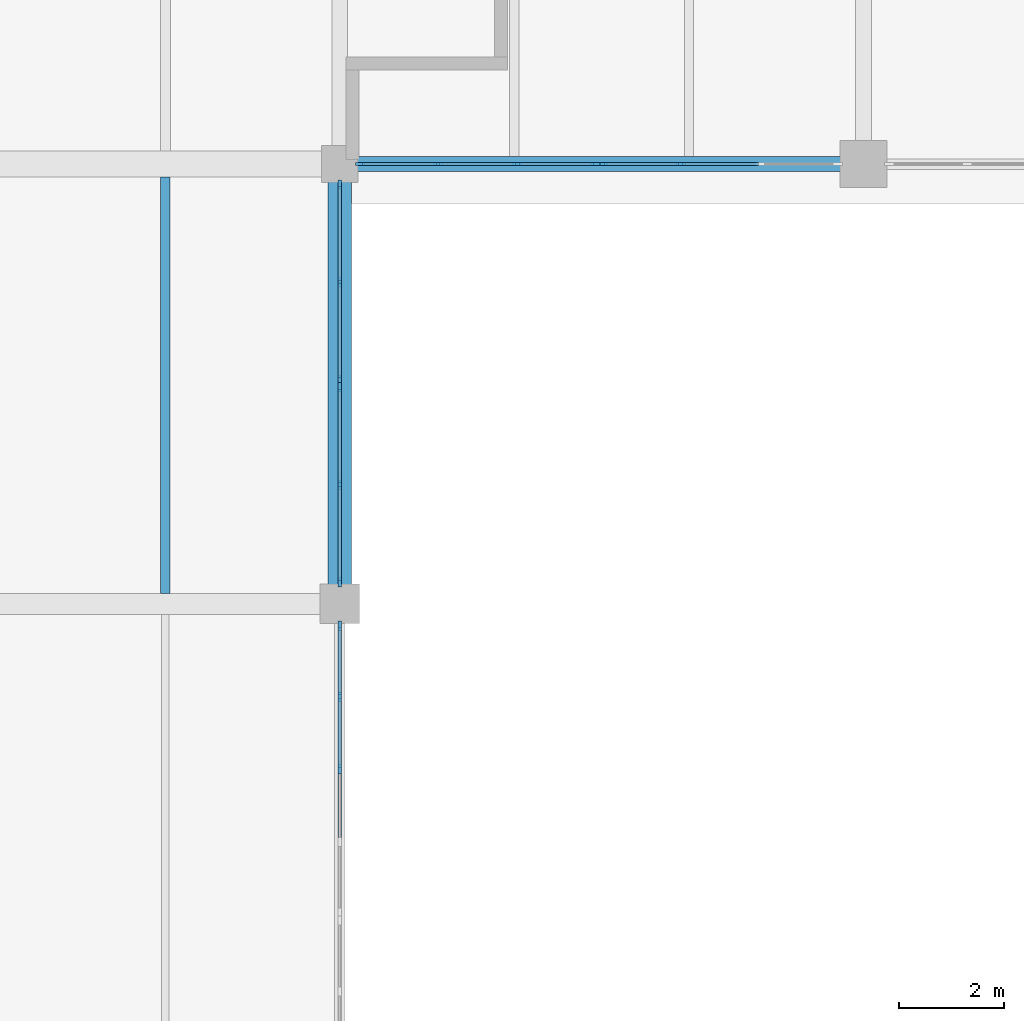
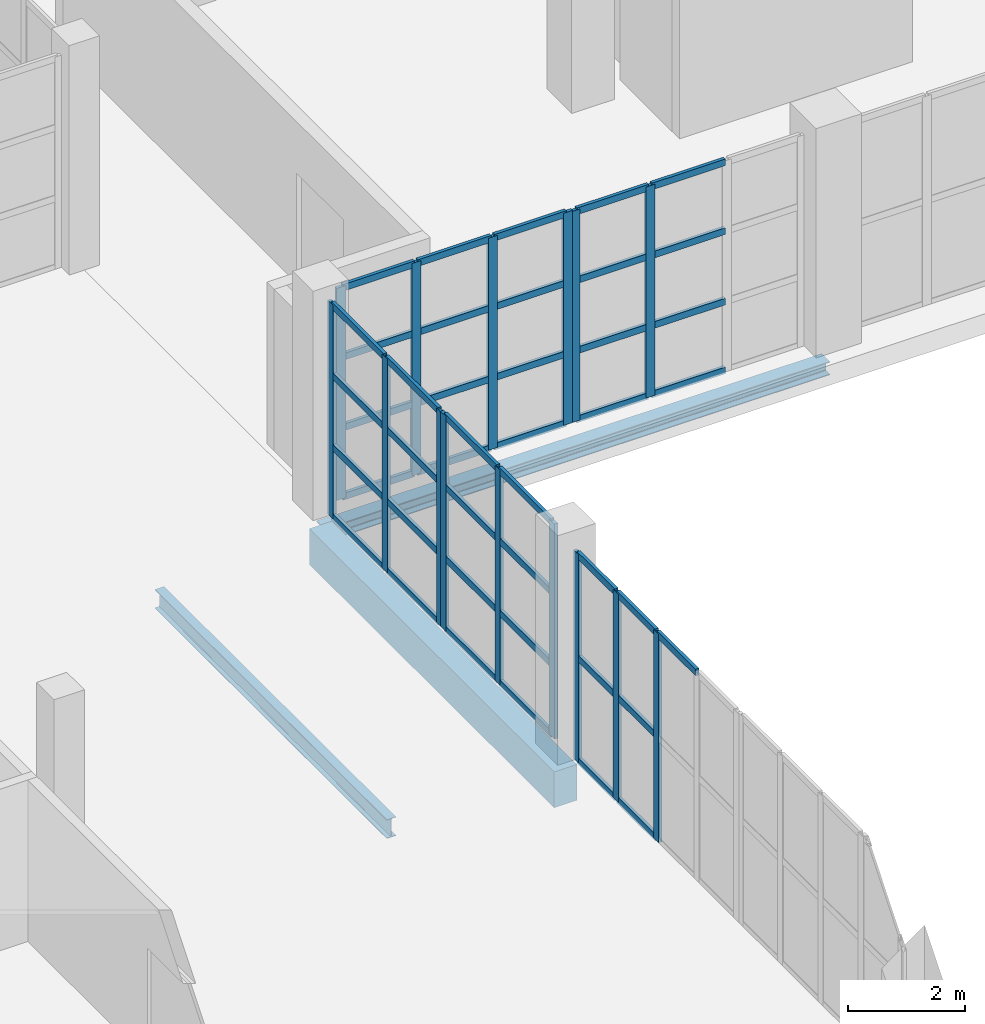
# One storey, part 63 of 121: 58 members, 3 beams, 5 elements without a shape of their own.
"""IFC4 building model written with IfcOpenShell, lengths in metres."""

from ifc_helpers import new_model, si_unit, direction, frame, origin, origin_2d, place, context, subcontext, project, spatial, rectangle, i_section, extrude, material, layer, layer_set, material_profile, profile_set, type_object, element, aggregate, save


model = new_model("IFC4")

# Units and contexts
model_context = context("Model", 3, precision=1e-05, world=origin(), true_north=direction((0.0, 1.0)))
body_context = subcontext(model_context, "Body", "Model", "MODEL_VIEW")
ifc_project = project(units=[si_unit("LENGTHUNIT", "METRE"), si_unit("AREAUNIT", "SQUARE_METRE"), si_unit("VOLUMEUNIT", "CUBIC_METRE"), si_unit("PLANEANGLEUNIT", "RADIAN"), si_unit("MASSUNIT", "GRAM", prefix="KILO")], contexts=[model_context])

# Site, building, storey
site_placement = place(None, origin())
site = spatial("IfcSite", under=ifc_project, at=site_placement, CompositionType="ELEMENT")
building_placement = place(site_placement, origin())
building = spatial("IfcBuilding", under=site, at=building_placement, Name="Zereglee Splitstone Museum", CompositionType="ELEMENT")
storey_placement = place(building_placement, origin())
storey = spatial("IfcBuildingStorey", under=building, at=storey_placement, Name="L00", CompositionType="ELEMENT", Elevation=0.0)

# Curtain wall, members
ifc_material_1 = material(Name="Triple-glazed low-E argon glass and bronze-anodised aluminium", Category="aluminium")
ifc_layer_1 = layer(ifc_material_1, 0.179931640625)
ifc_layer_set_1 = layer_set([ifc_layer_1], Name="Triple-glazed low-E argon glass and bronze-anodised aluminium")
curtain_wall_type_1 = type_object("IfcCurtainWallType", Name="CW-0555-436", PredefinedType="USERDEFINED", material=ifc_layer_set_1)
curtain_wall_1_placement = place(storey_placement, origin())
curtain_wall_1 = element("IfcCurtainWall", 1, at=curtain_wall_1_placement, inside=storey, type_object=curtain_wall_type_1, Name="Glazed Curtain Wall CW-0555-436 (L00)", ObjectType="GLAZED CURTAIN WALL", PredefinedType="USERDEFINED")
ifc_material_2 = material(Name="Thermally broken bronze-anodised aluminium", Category="aluminium")
ifc_material_profile_1 = material_profile(ifc_material_2, rectangle(XDim=0.06494140625, YDim=0.179931640625, at=origin_2d()), Name="CW MULL 65x180")
ifc_profile_set_1 = profile_set([ifc_material_profile_1], Name="Thermally broken bronze-anodised aluminium")
member_type_1 = type_object("IfcMemberType", Name="CWM-01", PredefinedType="MULLION", material=ifc_profile_set_1)
member_1_placement = place(storey_placement, frame((296.0, 18.44091796875, 0.0), z_axis=(0.0, 0.0, 1.0), x_axis=(-1.0, 0.0, 0.0)))
member_1 = element("IfcMember", 2, at=member_1_placement, type_object=member_type_1, Name="CW-0555-436 mullion 3", PredefinedType="MULLION", context=body_context, shape_type="SweptSolid", body=[
    extrude(rectangle(XDim=0.06494140625, YDim=0.179931640625, at=origin_2d()), origin(), (0.0, 0.0, 1.0), 4.360107421875),
])
member_2_placement = place(storey_placement, frame((296.0, 19.8291015625, 0.0), z_axis=(0.0, 0.0, 1.0), x_axis=(-1.0, 0.0, 0.0)))
member_2 = element("IfcMember", 3, at=member_2_placement, type_object=member_type_1, Name="CW-0555-436 mullion 4", PredefinedType="MULLION", context=body_context, shape_type="SweptSolid", body=[
    extrude(rectangle(XDim=0.06494140625, YDim=0.179931640625, at=origin_2d()), origin(), (0.0, 0.0, 1.0), 4.360107421875),
])
member_3_placement = place(storey_placement, frame((296.0, 21.1845703125, 0.0), z_axis=(0.0, 0.0, 1.0), x_axis=(-1.0, 0.0, 0.0)))
member_3 = element("IfcMember", 4, at=member_3_placement, type_object=member_type_1, Name="CW-0555-436 mullion 5", PredefinedType="MULLION", context=body_context, shape_type="SweptSolid", body=[
    extrude(rectangle(XDim=0.06494140625, YDim=0.179931640625, at=origin_2d()), origin(), (0.0, 0.0, 1.0), 4.360107421875),
])

ifc_layer_2 = layer(ifc_material_1, 0.179931640625)
ifc_layer_set_2 = layer_set([ifc_layer_2], Name="Triple-glazed low-E argon glass and bronze-anodised aluminium")
curtain_wall_type_2 = type_object("IfcCurtainWallType", Name="CW-0379-450", PredefinedType="USERDEFINED", material=ifc_layer_set_2)
curtain_wall_2_placement = place(storey_placement, origin())
curtain_wall_2 = element("IfcCurtainWall", 5, at=curtain_wall_2_placement, inside=storey, type_object=curtain_wall_type_2, Name="Glazed Curtain Wall CW-0379-450 (L00)", ObjectType="GLAZED CURTAIN WALL", PredefinedType="USERDEFINED")
member_4_placement = place(storey_placement, frame((296.0, 22.015380859375, 0.0), z_axis=(0.0, 0.0, 1.0), x_axis=(-1.0, 0.0, 0.0)))
member_4 = element("IfcMember", 6, at=member_4_placement, type_object=member_type_1, Name="CW-0379-450 mullion 1", PredefinedType="MULLION", context=body_context, shape_type="SweptSolid", body=[
    extrude(rectangle(XDim=0.06494140625, YDim=0.179931640625, at=origin_2d()), origin(), (0.0, 0.0, 1.0), 4.5),
])
member_5_placement = place(storey_placement, frame((296.0, 23.877685546875, 0.0), z_axis=(0.0, 0.0, 1.0), x_axis=(-1.0, 0.0, 0.0)))
member_5 = element("IfcMember", 7, at=member_5_placement, type_object=member_type_1, Name="CW-0379-450 mullion 2", PredefinedType="MULLION", context=body_context, shape_type="SweptSolid", body=[
    extrude(rectangle(XDim=0.06494140625, YDim=0.179931640625, at=origin_2d()), origin(), (0.0, 0.0, 1.0), 4.5),
])
member_6_placement = place(storey_placement, frame((296.0, 25.739990234375, 0.0), z_axis=(0.0, 0.0, 1.0), x_axis=(-1.0, 0.0, 0.0)))
member_6 = element("IfcMember", 8, at=member_6_placement, type_object=member_type_1, Name="CW-0379-450 mullion 3", PredefinedType="MULLION", context=body_context, shape_type="SweptSolid", body=[
    extrude(rectangle(XDim=0.06494140625, YDim=0.179931640625, at=origin_2d()), origin(), (0.0, 0.0, 1.0), 4.5),
])

ifc_layer_3 = layer(ifc_material_1, 0.179931640625)
ifc_layer_set_3 = layer_set([ifc_layer_3], Name="Triple-glazed low-E argon glass and bronze-anodised aluminium")
curtain_wall_type_3 = type_object("IfcCurtainWallType", Name="CW-0379-448", PredefinedType="USERDEFINED", material=ifc_layer_set_3)
curtain_wall_3_placement = place(storey_placement, origin())
curtain_wall_3 = element("IfcCurtainWall", 9, at=curtain_wall_3_placement, inside=storey, type_object=curtain_wall_type_3, Name="Glazed Curtain Wall CW-0379-448 (L00)", ObjectType="GLAZED CURTAIN WALL", PredefinedType="USERDEFINED")
member_7_placement = place(storey_placement, frame((296.0, 25.885009765625, 0.0), z_axis=(0.0, 0.0, 1.0), x_axis=(-1.0, 0.0, 0.0)))
member_7 = element("IfcMember", 10, at=member_7_placement, type_object=member_type_1, Name="CW-0379-448 mullion 1", PredefinedType="MULLION", context=body_context, shape_type="SweptSolid", body=[
    extrude(rectangle(XDim=0.06494140625, YDim=0.179931640625, at=origin_2d()), origin(), (0.0, 0.0, 1.0), 4.47998046875),
])
member_8_placement = place(storey_placement, frame((296.0, 27.747314453125, 0.0), z_axis=(0.0, 0.0, 1.0), x_axis=(-1.0, 0.0, 0.0)))
member_8 = element("IfcMember", 11, at=member_8_placement, type_object=member_type_1, Name="CW-0379-448 mullion 2", PredefinedType="MULLION", context=body_context, shape_type="SweptSolid", body=[
    extrude(rectangle(XDim=0.06494140625, YDim=0.179931640625, at=origin_2d()), origin(), (0.0, 0.0, 1.0), 4.47998046875),
])
member_9_placement = place(storey_placement, frame((296.0, 29.609619140625, 0.0), z_axis=(0.0, 0.0, 1.0), x_axis=(-1.0, 0.0, 0.0)))
member_9 = element("IfcMember", 12, at=member_9_placement, type_object=member_type_1, Name="CW-0379-448 mullion 3", PredefinedType="MULLION", context=body_context, shape_type="SweptSolid", body=[
    extrude(rectangle(XDim=0.06494140625, YDim=0.179931640625, at=origin_2d()), origin(), (0.0, 0.0, 1.0), 4.47998046875),
])

ifc_layer_4 = layer(ifc_material_1, 0.179931640625)
ifc_layer_set_4 = layer_set([ifc_layer_4], Name="Triple-glazed low-E argon glass and bronze-anodised aluminium")
curtain_wall_type_4 = type_object("IfcCurtainWallType", Name="CW-0455-444", PredefinedType="USERDEFINED", material=ifc_layer_set_4)
curtain_wall_4_placement = place(storey_placement, origin())
curtain_wall_4 = element("IfcCurtainWall", 13, at=curtain_wall_4_placement, inside=storey, type_object=curtain_wall_type_4, Name="Glazed Curtain Wall CW-0455-444 (L00)", ObjectType="GLAZED CURTAIN WALL", PredefinedType="USERDEFINED")
member_10_placement = place(storey_placement, frame((296.390380859375, 30.0, 0.0), z_axis=(0.0, 0.0, 1.0), x_axis=(0.0, 1.0, 0.0)))
member_10 = element("IfcMember", 14, at=member_10_placement, type_object=member_type_1, Name="CW-0455-444 mullion 1", PredefinedType="MULLION", context=body_context, shape_type="SweptSolid", body=[
    extrude(rectangle(XDim=0.06494140625, YDim=0.179931640625, at=origin_2d()), origin(), (0.0, 0.0, 1.0), 4.43994140625),
])
member_11_placement = place(storey_placement, frame((297.875244140625, 30.0, 0.0), z_axis=(0.0, 0.0, 1.0), x_axis=(0.0, 1.0, 0.0)))
member_11 = element("IfcMember", 15, at=member_11_placement, type_object=member_type_1, Name="CW-0455-444 mullion 2", PredefinedType="MULLION", context=body_context, shape_type="SweptSolid", body=[
    extrude(rectangle(XDim=0.06494140625, YDim=0.179931640625, at=origin_2d()), origin(), (0.0, 0.0, 1.0), 4.43994140625),
])
member_12_placement = place(storey_placement, frame((299.392578125, 30.0, 0.0), z_axis=(0.0, 0.0, 1.0), x_axis=(0.0, 1.0, 0.0)))
member_12 = element("IfcMember", 16, at=member_12_placement, type_object=member_type_1, Name="CW-0455-444 mullion 3", PredefinedType="MULLION", context=body_context, shape_type="SweptSolid", body=[
    extrude(rectangle(XDim=0.06494140625, YDim=0.179931640625, at=origin_2d()), origin(), (0.0, 0.0, 1.0), 4.43994140625),
])
member_13_placement = place(storey_placement, frame((300.87744140625, 30.0, 0.0), z_axis=(0.0, 0.0, 1.0), x_axis=(0.0, 1.0, 0.0)))
member_13 = element("IfcMember", 17, at=member_13_placement, type_object=member_type_1, Name="CW-0455-444 mullion 4", PredefinedType="MULLION", context=body_context, shape_type="SweptSolid", body=[
    extrude(rectangle(XDim=0.06494140625, YDim=0.179931640625, at=origin_2d()), origin(), (0.0, 0.0, 1.0), 4.43994140625),
])

ifc_layer_5 = layer(ifc_material_1, 0.179931640625)
ifc_layer_set_5 = layer_set([ifc_layer_5], Name="Triple-glazed low-E argon glass and bronze-anodised aluminium")
curtain_wall_type_5 = type_object("IfcCurtainWallType", Name="CW-0455-442", PredefinedType="USERDEFINED", material=ifc_layer_set_5)
curtain_wall_5_placement = place(storey_placement, origin())
curtain_wall_5 = element("IfcCurtainWall", 18, at=curtain_wall_5_placement, inside=storey, type_object=curtain_wall_type_5, Name="Glazed Curtain Wall CW-0455-442 (L00)", ObjectType="GLAZED CURTAIN WALL", PredefinedType="USERDEFINED")
member_14_placement = place(storey_placement, frame((301.0224609375, 30.0, 0.0), z_axis=(0.0, 0.0, 1.0), x_axis=(0.0, 1.0, 0.0)))
member_14 = element("IfcMember", 19, at=member_14_placement, type_object=member_type_1, Name="CW-0455-442 mullion 1", PredefinedType="MULLION", context=body_context, shape_type="SweptSolid", body=[
    extrude(rectangle(XDim=0.06494140625, YDim=0.179931640625, at=origin_2d()), origin(), (0.0, 0.0, 1.0), 4.419921875),
])
member_15_placement = place(storey_placement, frame((302.50732421875, 30.0, 0.0), z_axis=(0.0, 0.0, 1.0), x_axis=(0.0, 1.0, 0.0)))
member_15 = element("IfcMember", 20, at=member_15_placement, type_object=member_type_1, Name="CW-0455-442 mullion 2", PredefinedType="MULLION", context=body_context, shape_type="SweptSolid", body=[
    extrude(rectangle(XDim=0.06494140625, YDim=0.179931640625, at=origin_2d()), origin(), (0.0, 0.0, 1.0), 4.419921875),
])

# Member
ifc_material_profile_2 = material_profile(ifc_material_2, rectangle(XDim=0.06494140625, YDim=0.139892578125, at=origin_2d()), Name="CW TRAN 65x140")
ifc_profile_set_2 = profile_set([ifc_material_profile_2], Name="Thermally broken bronze-anodised aluminium")
member_type_2 = type_object("IfcMemberType", Name="CWT-01", PredefinedType="USERDEFINED", material=ifc_profile_set_2)
member_16_placement = place(storey_placement, frame((296.0, 17.08544921875, 4.327392578125), z_axis=(0.0, 1.0, 0.0), x_axis=(-1.0, 0.0, 0.0)))
member_16 = element("IfcMember", 21, at=member_16_placement, type_object=member_type_2, Name="CW-0555-436 transom 2.3", ObjectType="TRANSOM", PredefinedType="USERDEFINED", context=body_context, shape_type="SweptSolid", body=[
    extrude(rectangle(XDim=0.06494140625, YDim=0.139892578125, at=origin_2d()), origin(), (0.0, 0.0, 1.0), 1.322998046875),
])

member_17_placement = place(storey_placement, frame((296.0, 18.473388671875, 0.032470703125), z_axis=(0.0, 1.0, 0.0), x_axis=(-1.0, 0.0, 0.0)))
member_17 = element("IfcMember", 22, at=member_17_placement, type_object=member_type_2, Name="CW-0555-436 transom 3.1", ObjectType="TRANSOM", PredefinedType="USERDEFINED", context=body_context, shape_type="SweptSolid", body=[
    extrude(rectangle(XDim=0.06494140625, YDim=0.139892578125, at=origin_2d()), origin(), (0.0, 0.0, 1.0), 1.322998046875),
])

member_18_placement = place(storey_placement, frame((296.0, 18.473388671875, 2.179931640625), z_axis=(0.0, 1.0, 0.0), x_axis=(-1.0, 0.0, 0.0)))
member_18 = element("IfcMember", 23, at=member_18_placement, type_object=member_type_2, Name="CW-0555-436 transom 3.2", ObjectType="TRANSOM", PredefinedType="USERDEFINED", context=body_context, shape_type="SweptSolid", body=[
    extrude(rectangle(XDim=0.06494140625, YDim=0.139892578125, at=origin_2d()), origin(), (0.0, 0.0, 1.0), 1.322998046875),
])

member_19_placement = place(storey_placement, frame((296.0, 18.473388671875, 4.327392578125), z_axis=(0.0, 1.0, 0.0), x_axis=(-1.0, 0.0, 0.0)))
member_19 = element("IfcMember", 24, at=member_19_placement, type_object=member_type_2, Name="CW-0555-436 transom 3.3", ObjectType="TRANSOM", PredefinedType="USERDEFINED", context=body_context, shape_type="SweptSolid", body=[
    extrude(rectangle(XDim=0.06494140625, YDim=0.139892578125, at=origin_2d()), origin(), (0.0, 0.0, 1.0), 1.322998046875),
])

member_20_placement = place(storey_placement, frame((296.0, 19.861572265625, 0.032470703125), z_axis=(0.0, 1.0, 0.0), x_axis=(-1.0, 0.0, 0.0)))
member_20 = element("IfcMember", 25, at=member_20_placement, type_object=member_type_2, Name="CW-0555-436 transom 4.1", ObjectType="TRANSOM", PredefinedType="USERDEFINED", context=body_context, shape_type="SweptSolid", body=[
    extrude(rectangle(XDim=0.06494140625, YDim=0.139892578125, at=origin_2d()), origin(), (0.0, 0.0, 1.0), 1.29052734375),
])

member_21_placement = place(storey_placement, frame((296.0, 19.861572265625, 2.179931640625), z_axis=(0.0, 1.0, 0.0), x_axis=(-1.0, 0.0, 0.0)))
member_21 = element("IfcMember", 26, at=member_21_placement, type_object=member_type_2, Name="CW-0555-436 transom 4.2", ObjectType="TRANSOM", PredefinedType="USERDEFINED", context=body_context, shape_type="SweptSolid", body=[
    extrude(rectangle(XDim=0.06494140625, YDim=0.139892578125, at=origin_2d()), origin(), (0.0, 0.0, 1.0), 1.29052734375),
])

member_22_placement = place(storey_placement, frame((296.0, 19.861572265625, 4.327392578125), z_axis=(0.0, 1.0, 0.0), x_axis=(-1.0, 0.0, 0.0)))
member_22 = element("IfcMember", 27, at=member_22_placement, type_object=member_type_2, Name="CW-0555-436 transom 4.3", ObjectType="TRANSOM", PredefinedType="USERDEFINED", context=body_context, shape_type="SweptSolid", body=[
    extrude(rectangle(XDim=0.06494140625, YDim=0.139892578125, at=origin_2d()), origin(), (0.0, 0.0, 1.0), 1.29052734375),
])

aggregate(curtain_wall_1, [member_1, member_2, member_3, member_16, member_17, member_18, member_19, member_20, member_21, member_22])

member_23_placement = place(storey_placement, frame((296.0, 22.048095703125, 0.032470703125), z_axis=(0.0, 1.0, 0.0), x_axis=(-1.0, 0.0, 0.0)))
member_23 = element("IfcMember", 28, at=member_23_placement, type_object=member_type_2, Name="CW-0379-450 transom 1.1", ObjectType="TRANSOM", PredefinedType="USERDEFINED", context=body_context, shape_type="SweptSolid", body=[
    extrude(rectangle(XDim=0.06494140625, YDim=0.139892578125, at=origin_2d()), origin(), (0.0, 0.0, 1.0), 1.797119140625),
])

member_24_placement = place(storey_placement, frame((296.0, 22.048095703125, 1.5), z_axis=(0.0, 1.0, 0.0), x_axis=(-1.0, 0.0, 0.0)))
member_24 = element("IfcMember", 29, at=member_24_placement, type_object=member_type_2, Name="CW-0379-450 transom 1.2", ObjectType="TRANSOM", PredefinedType="USERDEFINED", context=body_context, shape_type="SweptSolid", body=[
    extrude(rectangle(XDim=0.06494140625, YDim=0.139892578125, at=origin_2d()), origin(), (0.0, 0.0, 1.0), 1.797119140625),
])

member_25_placement = place(storey_placement, frame((296.0, 22.048095703125, 3.0), z_axis=(0.0, 1.0, 0.0), x_axis=(-1.0, 0.0, 0.0)))
member_25 = element("IfcMember", 30, at=member_25_placement, type_object=member_type_2, Name="CW-0379-450 transom 1.3", ObjectType="TRANSOM", PredefinedType="USERDEFINED", context=body_context, shape_type="SweptSolid", body=[
    extrude(rectangle(XDim=0.06494140625, YDim=0.139892578125, at=origin_2d()), origin(), (0.0, 0.0, 1.0), 1.797119140625),
])

member_26_placement = place(storey_placement, frame((296.0, 22.048095703125, 4.467529296875), z_axis=(0.0, 1.0, 0.0), x_axis=(-1.0, 0.0, 0.0)))
member_26 = element("IfcMember", 31, at=member_26_placement, type_object=member_type_2, Name="CW-0379-450 transom 1.4", ObjectType="TRANSOM", PredefinedType="USERDEFINED", context=body_context, shape_type="SweptSolid", body=[
    extrude(rectangle(XDim=0.06494140625, YDim=0.139892578125, at=origin_2d()), origin(), (0.0, 0.0, 1.0), 1.797119140625),
])

member_27_placement = place(storey_placement, frame((296.0, 23.91015625, 0.032470703125), z_axis=(0.0, 1.0, 0.0), x_axis=(-1.0, 0.0, 0.0)))
member_27 = element("IfcMember", 32, at=member_27_placement, type_object=member_type_2, Name="CW-0379-450 transom 2.1", ObjectType="TRANSOM", PredefinedType="USERDEFINED", context=body_context, shape_type="SweptSolid", body=[
    extrude(rectangle(XDim=0.06494140625, YDim=0.139892578125, at=origin_2d()), origin(), (0.0, 0.0, 1.0), 1.79736328125),
])

member_28_placement = place(storey_placement, frame((296.0, 23.91015625, 1.5), z_axis=(0.0, 1.0, 0.0), x_axis=(-1.0, 0.0, 0.0)))
member_28 = element("IfcMember", 33, at=member_28_placement, type_object=member_type_2, Name="CW-0379-450 transom 2.2", ObjectType="TRANSOM", PredefinedType="USERDEFINED", context=body_context, shape_type="SweptSolid", body=[
    extrude(rectangle(XDim=0.06494140625, YDim=0.139892578125, at=origin_2d()), origin(), (0.0, 0.0, 1.0), 1.79736328125),
])

member_29_placement = place(storey_placement, frame((296.0, 23.91015625, 3.0), z_axis=(0.0, 1.0, 0.0), x_axis=(-1.0, 0.0, 0.0)))
member_29 = element("IfcMember", 34, at=member_29_placement, type_object=member_type_2, Name="CW-0379-450 transom 2.3", ObjectType="TRANSOM", PredefinedType="USERDEFINED", context=body_context, shape_type="SweptSolid", body=[
    extrude(rectangle(XDim=0.06494140625, YDim=0.139892578125, at=origin_2d()), origin(), (0.0, 0.0, 1.0), 1.79736328125),
])

member_30_placement = place(storey_placement, frame((296.0, 23.91015625, 4.467529296875), z_axis=(0.0, 1.0, 0.0), x_axis=(-1.0, 0.0, 0.0)))
member_30 = element("IfcMember", 35, at=member_30_placement, type_object=member_type_2, Name="CW-0379-450 transom 2.4", ObjectType="TRANSOM", PredefinedType="USERDEFINED", context=body_context, shape_type="SweptSolid", body=[
    extrude(rectangle(XDim=0.06494140625, YDim=0.139892578125, at=origin_2d()), origin(), (0.0, 0.0, 1.0), 1.79736328125),
])

aggregate(curtain_wall_2, [member_4, member_5, member_6, member_23, member_24, member_25, member_26, member_27, member_28, member_29, member_30])

member_31_placement = place(storey_placement, frame((296.0, 25.91748046875, 0.032470703125), z_axis=(0.0, 1.0, 0.0), x_axis=(-1.0, 0.0, 0.0)))
member_31 = element("IfcMember", 36, at=member_31_placement, type_object=member_type_2, Name="CW-0379-448 transom 1.1", ObjectType="TRANSOM", PredefinedType="USERDEFINED", context=body_context, shape_type="SweptSolid", body=[
    extrude(rectangle(XDim=0.06494140625, YDim=0.139892578125, at=origin_2d()), origin(), (0.0, 0.0, 1.0), 1.79736328125),
])

member_32_placement = place(storey_placement, frame((296.0, 25.91748046875, 1.493408203125), z_axis=(0.0, 1.0, 0.0), x_axis=(-1.0, 0.0, 0.0)))
member_32 = element("IfcMember", 37, at=member_32_placement, type_object=member_type_2, Name="CW-0379-448 transom 1.2", ObjectType="TRANSOM", PredefinedType="USERDEFINED", context=body_context, shape_type="SweptSolid", body=[
    extrude(rectangle(XDim=0.06494140625, YDim=0.139892578125, at=origin_2d()), origin(), (0.0, 0.0, 1.0), 1.79736328125),
])

member_33_placement = place(storey_placement, frame((296.0, 25.91748046875, 2.98681640625), z_axis=(0.0, 1.0, 0.0), x_axis=(-1.0, 0.0, 0.0)))
member_33 = element("IfcMember", 38, at=member_33_placement, type_object=member_type_2, Name="CW-0379-448 transom 1.3", ObjectType="TRANSOM", PredefinedType="USERDEFINED", context=body_context, shape_type="SweptSolid", body=[
    extrude(rectangle(XDim=0.06494140625, YDim=0.139892578125, at=origin_2d()), origin(), (0.0, 0.0, 1.0), 1.79736328125),
])

member_34_placement = place(storey_placement, frame((296.0, 25.91748046875, 4.447509765625), z_axis=(0.0, 1.0, 0.0), x_axis=(-1.0, 0.0, 0.0)))
member_34 = element("IfcMember", 39, at=member_34_placement, type_object=member_type_2, Name="CW-0379-448 transom 1.4", ObjectType="TRANSOM", PredefinedType="USERDEFINED", context=body_context, shape_type="SweptSolid", body=[
    extrude(rectangle(XDim=0.06494140625, YDim=0.139892578125, at=origin_2d()), origin(), (0.0, 0.0, 1.0), 1.79736328125),
])

member_35_placement = place(storey_placement, frame((296.0, 27.77978515625, 0.032470703125), z_axis=(0.0, 1.0, 0.0), x_axis=(-1.0, 0.0, 0.0)))
member_35 = element("IfcMember", 40, at=member_35_placement, type_object=member_type_2, Name="CW-0379-448 transom 2.1", ObjectType="TRANSOM", PredefinedType="USERDEFINED", context=body_context, shape_type="SweptSolid", body=[
    extrude(rectangle(XDim=0.06494140625, YDim=0.139892578125, at=origin_2d()), origin(), (0.0, 0.0, 1.0), 1.797119140625),
])

member_36_placement = place(storey_placement, frame((296.0, 27.77978515625, 1.493408203125), z_axis=(0.0, 1.0, 0.0), x_axis=(-1.0, 0.0, 0.0)))
member_36 = element("IfcMember", 41, at=member_36_placement, type_object=member_type_2, Name="CW-0379-448 transom 2.2", ObjectType="TRANSOM", PredefinedType="USERDEFINED", context=body_context, shape_type="SweptSolid", body=[
    extrude(rectangle(XDim=0.06494140625, YDim=0.139892578125, at=origin_2d()), origin(), (0.0, 0.0, 1.0), 1.797119140625),
])

member_37_placement = place(storey_placement, frame((296.0, 27.77978515625, 2.98681640625), z_axis=(0.0, 1.0, 0.0), x_axis=(-1.0, 0.0, 0.0)))
member_37 = element("IfcMember", 42, at=member_37_placement, type_object=member_type_2, Name="CW-0379-448 transom 2.3", ObjectType="TRANSOM", PredefinedType="USERDEFINED", context=body_context, shape_type="SweptSolid", body=[
    extrude(rectangle(XDim=0.06494140625, YDim=0.139892578125, at=origin_2d()), origin(), (0.0, 0.0, 1.0), 1.797119140625),
])

member_38_placement = place(storey_placement, frame((296.0, 27.77978515625, 4.447509765625), z_axis=(0.0, 1.0, 0.0), x_axis=(-1.0, 0.0, 0.0)))
member_38 = element("IfcMember", 43, at=member_38_placement, type_object=member_type_2, Name="CW-0379-448 transom 2.4", ObjectType="TRANSOM", PredefinedType="USERDEFINED", context=body_context, shape_type="SweptSolid", body=[
    extrude(rectangle(XDim=0.06494140625, YDim=0.139892578125, at=origin_2d()), origin(), (0.0, 0.0, 1.0), 1.797119140625),
])

aggregate(curtain_wall_3, [member_7, member_8, member_9, member_31, member_32, member_33, member_34, member_35, member_36, member_37, member_38])

member_39_placement = place(storey_placement, frame((296.423095703125, 30.0, 0.032470703125), z_axis=(1.0, 0.0, 0.0), x_axis=(0.0, 1.0, 0.0)))
member_39 = element("IfcMember", 44, at=member_39_placement, type_object=member_type_2, Name="CW-0455-444 transom 1.1", ObjectType="TRANSOM", PredefinedType="USERDEFINED", context=body_context, shape_type="SweptSolid", body=[
    extrude(rectangle(XDim=0.06494140625, YDim=0.139892578125, at=origin_2d()), origin(), (0.0, 0.0, 1.0), 1.419677734375),
])

member_40_placement = place(storey_placement, frame((296.423095703125, 30.0, 1.47998046875), z_axis=(1.0, 0.0, 0.0), x_axis=(0.0, 1.0, 0.0)))
member_40 = element("IfcMember", 45, at=member_40_placement, type_object=member_type_2, Name="CW-0455-444 transom 1.2", ObjectType="TRANSOM", PredefinedType="USERDEFINED", context=body_context, shape_type="SweptSolid", body=[
    extrude(rectangle(XDim=0.06494140625, YDim=0.139892578125, at=origin_2d()), origin(), (0.0, 0.0, 1.0), 1.419677734375),
])

member_41_placement = place(storey_placement, frame((296.423095703125, 30.0, 2.9599609375), z_axis=(1.0, 0.0, 0.0), x_axis=(0.0, 1.0, 0.0)))
member_41 = element("IfcMember", 46, at=member_41_placement, type_object=member_type_2, Name="CW-0455-444 transom 1.3", ObjectType="TRANSOM", PredefinedType="USERDEFINED", context=body_context, shape_type="SweptSolid", body=[
    extrude(rectangle(XDim=0.06494140625, YDim=0.139892578125, at=origin_2d()), origin(), (0.0, 0.0, 1.0), 1.419677734375),
])

member_42_placement = place(storey_placement, frame((296.423095703125, 30.0, 4.407470703125), z_axis=(1.0, 0.0, 0.0), x_axis=(0.0, 1.0, 0.0)))
member_42 = element("IfcMember", 47, at=member_42_placement, type_object=member_type_2, Name="CW-0455-444 transom 1.4", ObjectType="TRANSOM", PredefinedType="USERDEFINED", context=body_context, shape_type="SweptSolid", body=[
    extrude(rectangle(XDim=0.06494140625, YDim=0.139892578125, at=origin_2d()), origin(), (0.0, 0.0, 1.0), 1.419677734375),
])

member_43_placement = place(storey_placement, frame((297.90771484375, 30.0, 0.032470703125), z_axis=(1.0, 0.0, 0.0), x_axis=(0.0, 1.0, 0.0)))
member_43 = element("IfcMember", 48, at=member_43_placement, type_object=member_type_2, Name="CW-0455-444 transom 2.1", ObjectType="TRANSOM", PredefinedType="USERDEFINED", context=body_context, shape_type="SweptSolid", body=[
    extrude(rectangle(XDim=0.06494140625, YDim=0.139892578125, at=origin_2d()), origin(), (0.0, 0.0, 1.0), 1.452392578125),
])

member_44_placement = place(storey_placement, frame((297.90771484375, 30.0, 1.47998046875), z_axis=(1.0, 0.0, 0.0), x_axis=(0.0, 1.0, 0.0)))
member_44 = element("IfcMember", 49, at=member_44_placement, type_object=member_type_2, Name="CW-0455-444 transom 2.2", ObjectType="TRANSOM", PredefinedType="USERDEFINED", context=body_context, shape_type="SweptSolid", body=[
    extrude(rectangle(XDim=0.06494140625, YDim=0.139892578125, at=origin_2d()), origin(), (0.0, 0.0, 1.0), 1.452392578125),
])

member_45_placement = place(storey_placement, frame((297.90771484375, 30.0, 2.9599609375), z_axis=(1.0, 0.0, 0.0), x_axis=(0.0, 1.0, 0.0)))
member_45 = element("IfcMember", 50, at=member_45_placement, type_object=member_type_2, Name="CW-0455-444 transom 2.3", ObjectType="TRANSOM", PredefinedType="USERDEFINED", context=body_context, shape_type="SweptSolid", body=[
    extrude(rectangle(XDim=0.06494140625, YDim=0.139892578125, at=origin_2d()), origin(), (0.0, 0.0, 1.0), 1.452392578125),
])

member_46_placement = place(storey_placement, frame((297.90771484375, 30.0, 4.407470703125), z_axis=(1.0, 0.0, 0.0), x_axis=(0.0, 1.0, 0.0)))
member_46 = element("IfcMember", 51, at=member_46_placement, type_object=member_type_2, Name="CW-0455-444 transom 2.4", ObjectType="TRANSOM", PredefinedType="USERDEFINED", context=body_context, shape_type="SweptSolid", body=[
    extrude(rectangle(XDim=0.06494140625, YDim=0.139892578125, at=origin_2d()), origin(), (0.0, 0.0, 1.0), 1.452392578125),
])

member_47_placement = place(storey_placement, frame((299.425048828125, 30.0, 0.032470703125), z_axis=(1.0, 0.0, 0.0), x_axis=(0.0, 1.0, 0.0)))
member_47 = element("IfcMember", 52, at=member_47_placement, type_object=member_type_2, Name="CW-0455-444 transom 3.1", ObjectType="TRANSOM", PredefinedType="USERDEFINED", context=body_context, shape_type="SweptSolid", body=[
    extrude(rectangle(XDim=0.06494140625, YDim=0.139892578125, at=origin_2d()), origin(), (0.0, 0.0, 1.0), 1.419921875),
])

member_48_placement = place(storey_placement, frame((299.425048828125, 30.0, 1.47998046875), z_axis=(1.0, 0.0, 0.0), x_axis=(0.0, 1.0, 0.0)))
member_48 = element("IfcMember", 53, at=member_48_placement, type_object=member_type_2, Name="CW-0455-444 transom 3.2", ObjectType="TRANSOM", PredefinedType="USERDEFINED", context=body_context, shape_type="SweptSolid", body=[
    extrude(rectangle(XDim=0.06494140625, YDim=0.139892578125, at=origin_2d()), origin(), (0.0, 0.0, 1.0), 1.419921875),
])

member_49_placement = place(storey_placement, frame((299.425048828125, 30.0, 2.9599609375), z_axis=(1.0, 0.0, 0.0), x_axis=(0.0, 1.0, 0.0)))
member_49 = element("IfcMember", 54, at=member_49_placement, type_object=member_type_2, Name="CW-0455-444 transom 3.3", ObjectType="TRANSOM", PredefinedType="USERDEFINED", context=body_context, shape_type="SweptSolid", body=[
    extrude(rectangle(XDim=0.06494140625, YDim=0.139892578125, at=origin_2d()), origin(), (0.0, 0.0, 1.0), 1.419921875),
])

member_50_placement = place(storey_placement, frame((299.425048828125, 30.0, 4.407470703125), z_axis=(1.0, 0.0, 0.0), x_axis=(0.0, 1.0, 0.0)))
member_50 = element("IfcMember", 55, at=member_50_placement, type_object=member_type_2, Name="CW-0455-444 transom 3.4", ObjectType="TRANSOM", PredefinedType="USERDEFINED", context=body_context, shape_type="SweptSolid", body=[
    extrude(rectangle(XDim=0.06494140625, YDim=0.139892578125, at=origin_2d()), origin(), (0.0, 0.0, 1.0), 1.419921875),
])

aggregate(curtain_wall_4, [member_10, member_11, member_12, member_13, member_39, member_40, member_41, member_42, member_43, member_44, member_45, member_46, member_47, member_48, member_49, member_50])

member_51_placement = place(storey_placement, frame((301.054931640625, 30.0, 0.032470703125), z_axis=(1.0, 0.0, 0.0), x_axis=(0.0, 1.0, 0.0)))
member_51 = element("IfcMember", 56, at=member_51_placement, type_object=member_type_2, Name="CW-0455-442 transom 1.1", ObjectType="TRANSOM", PredefinedType="USERDEFINED", context=body_context, shape_type="SweptSolid", body=[
    extrude(rectangle(XDim=0.06494140625, YDim=0.139892578125, at=origin_2d()), origin(), (0.0, 0.0, 1.0), 1.419921875),
])

member_52_placement = place(storey_placement, frame((301.054931640625, 30.0, 1.473388671875), z_axis=(1.0, 0.0, 0.0), x_axis=(0.0, 1.0, 0.0)))
member_52 = element("IfcMember", 57, at=member_52_placement, type_object=member_type_2, Name="CW-0455-442 transom 1.2", ObjectType="TRANSOM", PredefinedType="USERDEFINED", context=body_context, shape_type="SweptSolid", body=[
    extrude(rectangle(XDim=0.06494140625, YDim=0.139892578125, at=origin_2d()), origin(), (0.0, 0.0, 1.0), 1.419921875),
])

member_53_placement = place(storey_placement, frame((301.054931640625, 30.0, 2.94677734375), z_axis=(1.0, 0.0, 0.0), x_axis=(0.0, 1.0, 0.0)))
member_53 = element("IfcMember", 58, at=member_53_placement, type_object=member_type_2, Name="CW-0455-442 transom 1.3", ObjectType="TRANSOM", PredefinedType="USERDEFINED", context=body_context, shape_type="SweptSolid", body=[
    extrude(rectangle(XDim=0.06494140625, YDim=0.139892578125, at=origin_2d()), origin(), (0.0, 0.0, 1.0), 1.419921875),
])

member_54_placement = place(storey_placement, frame((301.054931640625, 30.0, 4.387451171875), z_axis=(1.0, 0.0, 0.0), x_axis=(0.0, 1.0, 0.0)))
member_54 = element("IfcMember", 59, at=member_54_placement, type_object=member_type_2, Name="CW-0455-442 transom 1.4", ObjectType="TRANSOM", PredefinedType="USERDEFINED", context=body_context, shape_type="SweptSolid", body=[
    extrude(rectangle(XDim=0.06494140625, YDim=0.139892578125, at=origin_2d()), origin(), (0.0, 0.0, 1.0), 1.419921875),
])

member_55_placement = place(storey_placement, frame((302.539794921875, 30.0, 0.032470703125), z_axis=(1.0, 0.0, 0.0), x_axis=(0.0, 1.0, 0.0)))
member_55 = element("IfcMember", 60, at=member_55_placement, type_object=member_type_2, Name="CW-0455-442 transom 2.1", ObjectType="TRANSOM", PredefinedType="USERDEFINED", context=body_context, shape_type="SweptSolid", body=[
    extrude(rectangle(XDim=0.06494140625, YDim=0.139892578125, at=origin_2d()), origin(), (0.0, 0.0, 1.0), 1.452392578125),
])

member_56_placement = place(storey_placement, frame((302.539794921875, 30.0, 1.473388671875), z_axis=(1.0, 0.0, 0.0), x_axis=(0.0, 1.0, 0.0)))
member_56 = element("IfcMember", 61, at=member_56_placement, type_object=member_type_2, Name="CW-0455-442 transom 2.2", ObjectType="TRANSOM", PredefinedType="USERDEFINED", context=body_context, shape_type="SweptSolid", body=[
    extrude(rectangle(XDim=0.06494140625, YDim=0.139892578125, at=origin_2d()), origin(), (0.0, 0.0, 1.0), 1.452392578125),
])

member_57_placement = place(storey_placement, frame((302.539794921875, 30.0, 2.94677734375), z_axis=(1.0, 0.0, 0.0), x_axis=(0.0, 1.0, 0.0)))
member_57 = element("IfcMember", 62, at=member_57_placement, type_object=member_type_2, Name="CW-0455-442 transom 2.3", ObjectType="TRANSOM", PredefinedType="USERDEFINED", context=body_context, shape_type="SweptSolid", body=[
    extrude(rectangle(XDim=0.06494140625, YDim=0.139892578125, at=origin_2d()), origin(), (0.0, 0.0, 1.0), 1.452392578125),
])

member_58_placement = place(storey_placement, frame((302.539794921875, 30.0, 4.387451171875), z_axis=(1.0, 0.0, 0.0), x_axis=(0.0, 1.0, 0.0)))
member_58 = element("IfcMember", 63, at=member_58_placement, type_object=member_type_2, Name="CW-0455-442 transom 2.4", ObjectType="TRANSOM", PredefinedType="USERDEFINED", context=body_context, shape_type="SweptSolid", body=[
    extrude(rectangle(XDim=0.06494140625, YDim=0.139892578125, at=origin_2d()), origin(), (0.0, 0.0, 1.0), 1.452392578125),
])

aggregate(curtain_wall_5, [member_14, member_15, member_51, member_52, member_53, member_54, member_55, member_56, member_57, member_58])

# Beams
ifc_material_3 = material(Name="Steel S355J2", Category="steel")
ifc_material_profile_3 = material_profile(ifc_material_3, i_section(OverallWidth=0.179931640625, OverallDepth=0.39990234375, WebThickness=0.008544921875, FlangeThickness=0.013427734375, FilletRadius=0.02099609375, at=origin_2d()), Name="IPE 400")
ifc_profile_set_3 = profile_set([ifc_material_profile_3], Name="Steel S355J2")
beam_type_1 = type_object("IfcBeamType", Name="BJ-03", PredefinedType="JOIST", material=ifc_profile_set_3)
beam_1_placement = place(storey_placement, frame((292.666748046875, 21.800048828125, -0.6201171875), z_axis=(0.0, 1.0, 0.0), x_axis=(-1.0, 0.0, 0.0)))
element("IfcBeam", 64, at=beam_1_placement, inside=storey, type_object=beam_type_1, Name="Secondary Floor Joist L00-0338", PredefinedType="JOIST", context=body_context, shape_type="SweptSolid", body=[
    extrude(i_section(OverallWidth=0.179931640625, OverallDepth=0.39990234375, WebThickness=0.008544921875, FlangeThickness=0.013427734375, FilletRadius=0.02099609375, at=origin_2d()), origin(), (0.0, 0.0, 1.0), 7.949951171875),
])
ifc_material_profile_4 = material_profile(ifc_material_3, i_section(OverallWidth=0.280029296875, OverallDepth=0.280029296875, WebThickness=0.010498046875, FlangeThickness=0.01806640625, FilletRadius=0.02392578125, at=origin_2d()), Name="HE 280 B")
ifc_profile_set_4 = profile_set([ifc_material_profile_4], Name="Steel S355J2")
beam_type_2 = type_object("IfcBeamType", Name="SP-03", PredefinedType="SPANDREL", material=ifc_profile_set_4)
beam_2_placement = place(storey_placement, frame((296.0, 30.0, -0.56005859375), z_axis=(1.0, 0.0, 0.0), x_axis=(0.0, 1.0, 0.0)))
element("IfcBeam", 65, at=beam_2_placement, inside=storey, type_object=beam_type_2, Name="Primary Girder L00 D (296.0-306.0)", PredefinedType="SPANDREL", context=body_context, shape_type="SweptSolid", body=[
    extrude(i_section(OverallWidth=0.280029296875, OverallDepth=0.280029296875, WebThickness=0.010498046875, FlangeThickness=0.01806640625, FilletRadius=0.02392578125, at=origin_2d()), origin(), (0.0, 0.0, 1.0), 10.0),
])
ifc_material_4 = material(Name="Concrete C40/50", Category="concrete")
ifc_material_profile_5 = material_profile(ifc_material_4, rectangle(XDim=0.449951171875, YDim=0.75, at=origin_2d()), Name="RC 450x750")
ifc_profile_set_5 = profile_set([ifc_material_profile_5], Name="Concrete C40/50")
beam_type_3 = type_object("IfcBeamType", Name="SP-01", PredefinedType="SPANDREL", material=ifc_profile_set_5)
beam_3_placement = place(storey_placement, frame((296.0, 21.60009765625, -0.794921875), z_axis=(0.0, 1.0, 0.0), x_axis=(-1.0, 0.0, 0.0)))
element("IfcBeam", 66, at=beam_3_placement, inside=storey, type_object=beam_type_3, Name="Primary Girder L00 33 (21.6-30.0)", PredefinedType="SPANDREL", context=body_context, shape_type="SweptSolid", body=[
    extrude(rectangle(XDim=0.449951171875, YDim=0.75, at=origin_2d()), origin(), (0.0, 0.0, 1.0), 8.39990234375),
])

save(model, "model.ifc")
